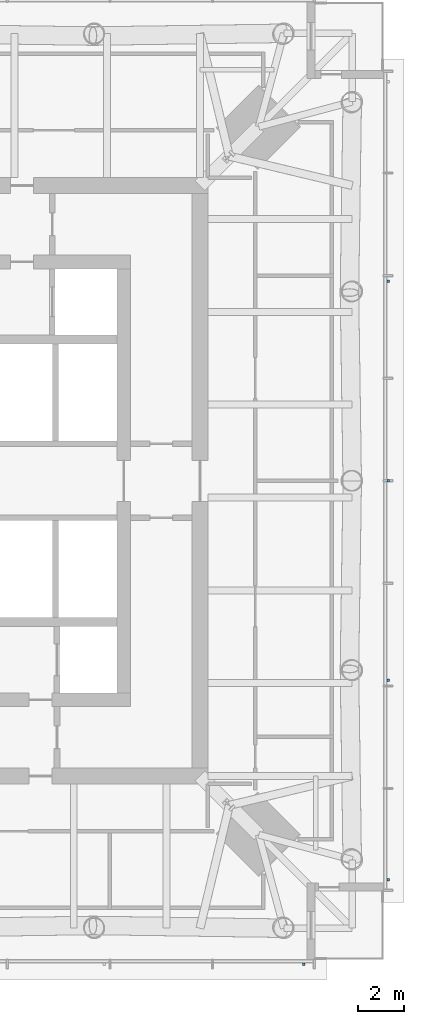
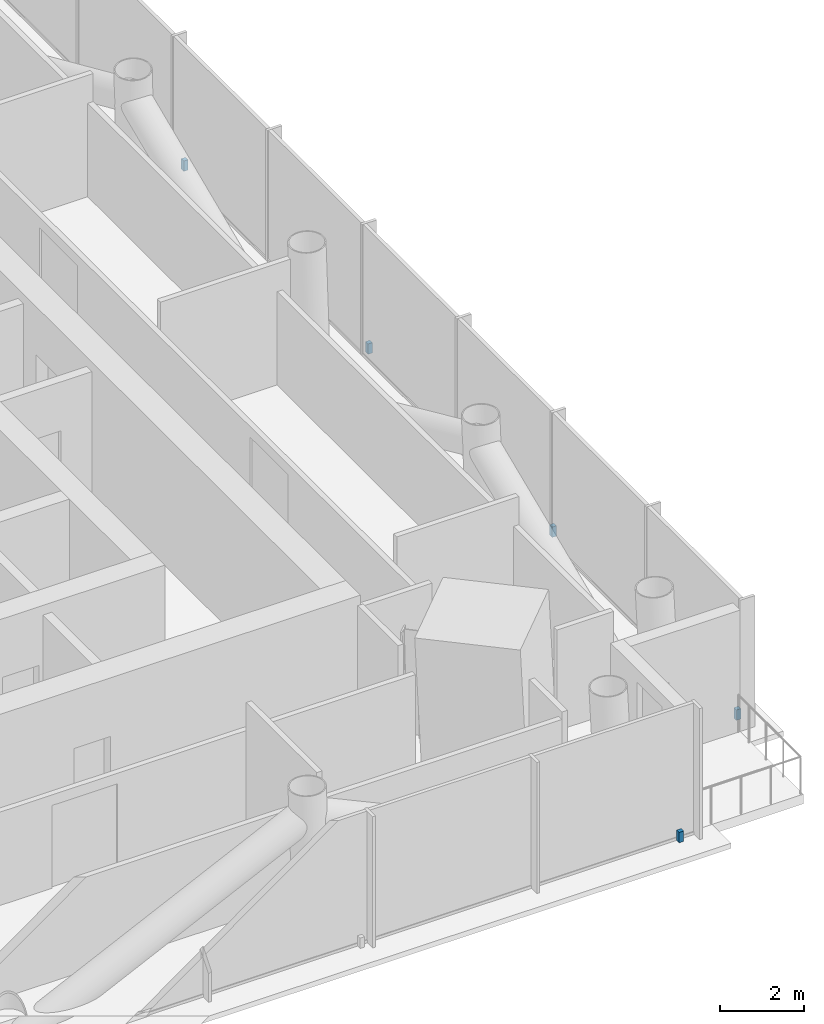
# One storey, part 9 of 13: 5 discrete accessories.
"""IFC4 building model written with IfcOpenShell, lengths in metres."""

from ifc_helpers import new_model, si_unit, direction, frame, origin, origin_2d, place, context, subcontext, project, spatial, rectangle, extrude, material, type_object, element, save


model = new_model("IFC4")

# Units and contexts
model_context = context("Model", 3, precision=1e-05, world=origin(), true_north=direction((0.0, 1.0)))
body_context = subcontext(model_context, "Body", "Model", "MODEL_VIEW")
ifc_project = project(units=[si_unit("LENGTHUNIT", "METRE"), si_unit("AREAUNIT", "SQUARE_METRE"), si_unit("VOLUMEUNIT", "CUBIC_METRE"), si_unit("PLANEANGLEUNIT", "RADIAN"), si_unit("MASSUNIT", "GRAM", prefix="KILO")], contexts=[model_context])

# Site, building, storey
site_placement = place(None, origin())
site = spatial("IfcSite", under=ifc_project, at=site_placement, CompositionType="ELEMENT")
building_placement = place(site_placement, origin())
building = spatial("IfcBuilding", under=site, at=building_placement, Name="Ostroluk Exchange", CompositionType="ELEMENT")
storey_placement = place(building_placement, frame((0.0, 0.0, 157.800048828125)))
storey = spatial("IfcBuildingStorey", under=building, at=storey_placement, Name="L40", CompositionType="ELEMENT", Elevation=157.800048828125)

# Discrete accessories
ifc_material = material(Name="Stainless steel", Category="steel")
discrete_accessory_type = type_object("IfcDiscreteAccessoryType", Name="Fall-arrest anchor PN-EN 795 type C", PredefinedType="USERDEFINED", material=ifc_material)
for number, where, z_axis, x_axis, name in (
    (1, (62.5, 24.7900390625, 0.0), (0.0, 0.0, 1.0), (1.0, 0.0, 0.0), "Fall-arrest anchor L40 south 5"),
    (2, (66.2099609375, 28.5, 0.0), (0.0, 0.0, 1.0), (1.0, 0.0, 0.0), "Fall-arrest anchor L40 east 1"),
    (3, (66.2099609375, 37.25, 0.0), (0.0, 0.0, 1.0), (1.0, 0.0, 0.0), "Fall-arrest anchor L40 east 2"),
    (4, (66.2099609375, 46.0, 0.0), (0.0, 0.0, 1.0), (1.0, 0.0, 0.0), "Fall-arrest anchor L40 east 3"),
    (5, (66.2099609375, 54.75, 0.0), (0.0, 0.0, 1.0), (1.0, 0.0, 0.0), "Fall-arrest anchor L40 east 4"),
):
    element("IfcDiscreteAccessory", number, at=place(storey_placement, frame(where, z_axis=z_axis, x_axis=x_axis)), inside=storey, type_object=discrete_accessory_type, Name=name, ObjectType="FALL ARREST ANCHOR", PredefinedType="USERDEFINED", context=body_context, shape_type="SweptSolid", body=[
        extrude(rectangle(XDim=0.1201171875, YDim=0.1201171875, at=origin_2d()), origin(), (0.0, 0.0, 1.0), 0.300048828125),
    ])

save(model, "model.ifc")
